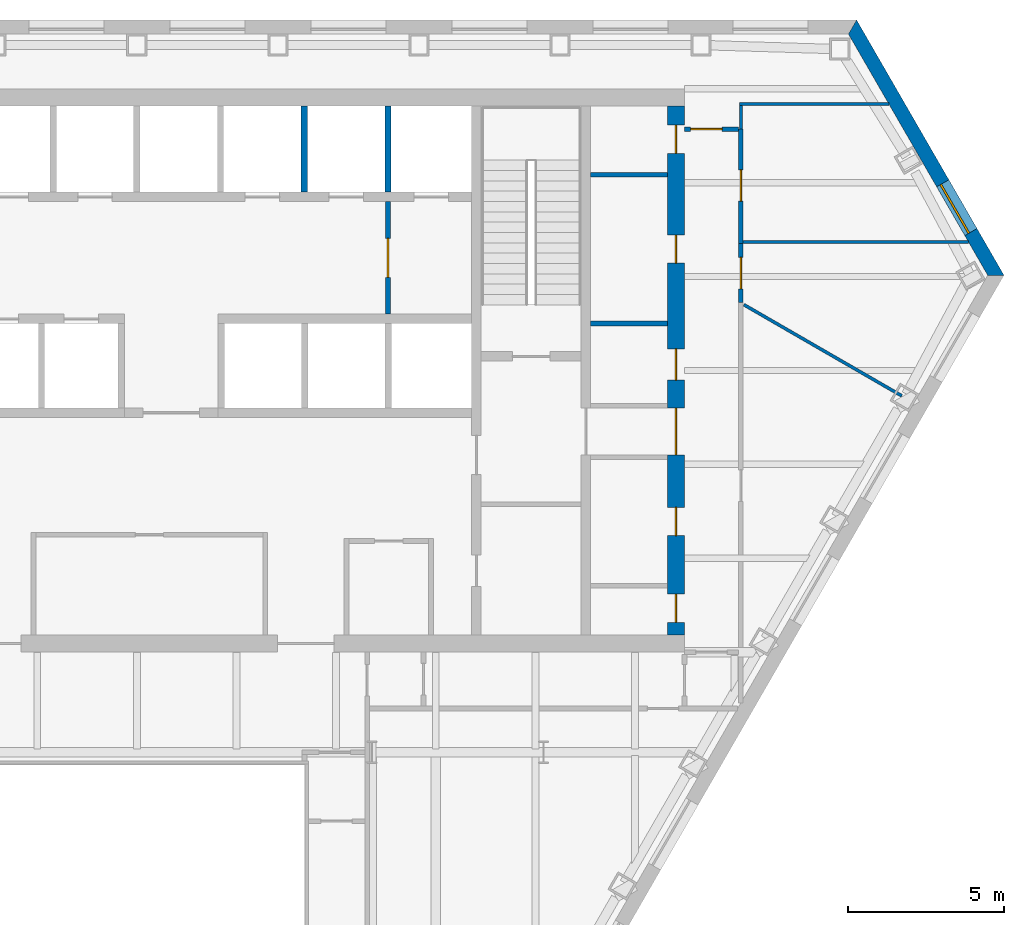
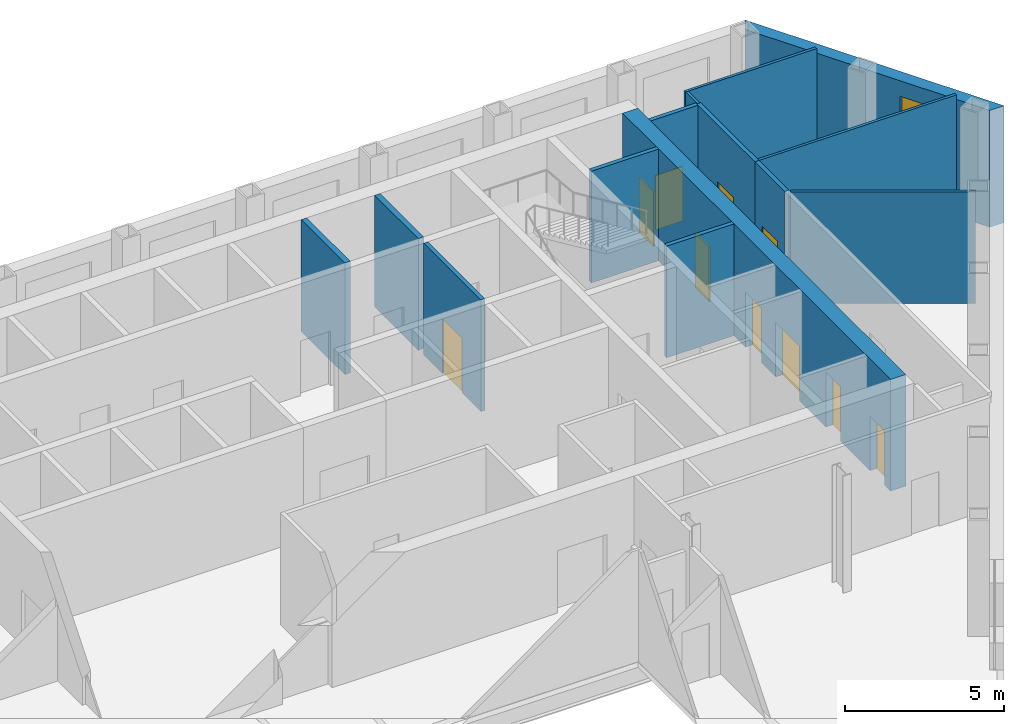
# One storey, part 8 of 11: 14 walls, 10 doors, 1 window, 11 openings.
"""IFC4 building model written with IfcOpenShell, lengths in metres."""

import ifcopenshell
import ifcopenshell.guid

model = None  # the IFC model being written
_history = None  # IfcOwnerHistory: only IFC2X3 demands one
_inside = {}  # id of a spatial element -> (the spatial element, [elements in it])
_under = {}  # id of a project, library or spatial element -> (it, [spatial elements below it])
_declared = {}  # id of a project -> (the project, [libraries it declares])
_typed = {}  # id of a type object -> (the type object, [elements of that type])
_made_of = {}  # id of a material, layer set ... -> (it, [elements and type objects made of it])


def new_model(schema):
    """Start an empty IFC model of exactly this schema.

    Asked for "IFC4X3", IfcOpenShell would pick the latest addendum, in which some entities
    have other attributes; the version numbers below select the first issue.
    IFC2X3 requires an IfcOwnerHistory on every rooted entity: one is made here for all.
    """
    global model, _history
    if schema == "IFC4X3":
        model = ifcopenshell.file(schema_version=(4, 3, 0, 0))
    else:
        model = ifcopenshell.file(schema=schema)
    _inside.clear()
    _under.clear()
    _declared.clear()
    _typed.clear()
    _made_of.clear()
    _history = None
    if model.schema == "IFC2X3":
        org = make("IfcOrganization", Name="unknown")
        user = make(
            "IfcPersonAndOrganization",
            ThePerson=make("IfcPerson", FamilyName="unknown"),
            TheOrganization=org,
        )
        app = make(
            "IfcApplication",
            ApplicationDeveloper=org,
            Version="unknown",
            ApplicationFullName="unknown",
            ApplicationIdentifier="unknown",
        )
        _history = make(
            "IfcOwnerHistory",
            OwningUser=user,
            OwningApplication=app,
            ChangeAction="ADDED",
            CreationDate=0,
        )
    return model


def make(cls, **values):
    """One entity of the class cls with the attributes given. An attribute that is None is left unset."""
    return model.create_entity(
        cls, **{name: value for name, value in values.items() if value is not None}
    )


def rooted(cls, **values):
    """An entity with a GlobalId (a new one), such as an element, a storey or a relation."""
    return make(cls, GlobalId=ifcopenshell.guid.new(), OwnerHistory=_history, **values)


def si_unit(unit_type, name, prefix=None):
    """IfcSIUnit, for example si_unit("LENGTHUNIT", "METRE", prefix="MILLI")."""
    return make("IfcSIUnit", UnitType=unit_type, Prefix=prefix, Name=name)


def assignment(units):
    """IfcUnitAssignment: the units of a project."""
    return None if units is None else make("IfcUnitAssignment", Units=units)


def point(xyz):
    """IfcCartesianPoint."""
    return None if xyz is None else make("IfcCartesianPoint", Coordinates=xyz)


def direction(xyz):
    """IfcDirection."""
    return None if xyz is None else make("IfcDirection", DirectionRatios=xyz)


def frame(location, z_axis=None, x_axis=None):
    """IfcAxis2Placement3D, a coordinate frame: its origin and axes. An axis left out is left unset."""
    return make(
        "IfcAxis2Placement3D",
        Location=point(location),
        Axis=direction(z_axis),
        RefDirection=direction(x_axis),
    )


def frame_2d(location, x_axis=None):
    """IfcAxis2Placement2D, a coordinate frame in the plane: its origin and x axis."""
    return make(
        "IfcAxis2Placement2D", Location=point(location), RefDirection=direction(x_axis)
    )


def origin():
    """The frame at (0, 0, 0) with its axes left unset."""
    return frame((0.0, 0.0, 0.0))


def place(relative_to, where):
    """IfcLocalPlacement: puts the frame where relative to a parent placement (None: the world)."""
    return make(
        "IfcLocalPlacement", PlacementRelTo=relative_to, RelativePlacement=where
    )


def context(
    kind, dimensions, precision=None, world=None, true_north=None, identifier=None
):
    """IfcGeometricRepresentationContext, for example the 3D "Model" context."""
    return make(
        "IfcGeometricRepresentationContext",
        ContextIdentifier=identifier,
        ContextType=kind,
        CoordinateSpaceDimension=dimensions,
        Precision=precision,
        WorldCoordinateSystem=world,
        TrueNorth=true_north,
    )


def subcontext(parent, identifier, kind, view, scale=None):
    """IfcGeometricRepresentationSubContext, for example "Body" below "Model"."""
    return make(
        "IfcGeometricRepresentationSubContext",
        ContextIdentifier=identifier,
        ContextType=kind,
        ParentContext=parent,
        TargetScale=scale,
        TargetView=view,
    )


def project(units=None, contexts=None):
    """IfcProject with its units and contexts."""
    return rooted(
        "IfcProject",
        Name="project",
        RepresentationContexts=contexts,
        UnitsInContext=assignment(units),
    )


def spatial(cls, under=None, at=None, **own):
    """A site, building, storey or space (cls), placed at a placement, below another one or the project."""
    s = rooted(cls, ObjectPlacement=at, **own)
    if under is not None:
        _under.setdefault(under.id(), (under, []))[1].append(s)
    return s


def polyline(points):
    """IfcPolyline through the points."""
    return make("IfcPolyline", Points=[point(p) for p in points])


def profile(cls, at=None, kind="AREA", **sizes):
    """A parametric profile (cls). Its sizes go by their IFC names, for example OverallWidth=200.0."""
    return make(cls, ProfileType=kind, Position=at, **sizes)


def rectangle(**sizes):
    """IfcRectangleProfileDef."""
    return profile("IfcRectangleProfileDef", **sizes)


def outline(outer, holes=None, kind="AREA"):
    """IfcArbitraryClosedProfileDef: a profile drawn as a closed curve; with holes, ...WithVoids."""
    if holes is None:
        return make("IfcArbitraryClosedProfileDef", ProfileType=kind, OuterCurve=outer)
    return make(
        "IfcArbitraryProfileDefWithVoids",
        ProfileType=kind,
        OuterCurve=outer,
        InnerCurves=holes,
    )


def extrude(swept, where, along, depth):
    """IfcExtrudedAreaSolid: the profile swept, set in the frame where, extruded along a direction by depth."""
    return make(
        "IfcExtrudedAreaSolid",
        SweptArea=swept,
        Position=where,
        ExtrudedDirection=direction(along),
        Depth=depth,
    )


def shape(context_of_items, identifier, shape_type, items):
    """IfcShapeRepresentation: the items that make up one representation, for example the "Body"."""
    return make(
        "IfcShapeRepresentation",
        ContextOfItems=context_of_items,
        RepresentationIdentifier=identifier,
        RepresentationType=shape_type,
        Items=items,
    )


def material(Name=None, Category=None):
    """IfcMaterial."""
    return make("IfcMaterial", Name=Name, Category=Category)


def layer(
    of_material, thickness, ventilated=None, Name=None, Category=None, Priority=None
):
    """IfcMaterialLayer: one layer of a wall or slab, of a material (None: an air gap)."""
    return make(
        "IfcMaterialLayer",
        Material=of_material,
        LayerThickness=thickness,
        IsVentilated=ventilated,
        Name=Name,
        Category=Category,
        Priority=Priority,
    )


def layer_set(layers, Name=None):
    """IfcMaterialLayerSet."""
    return make("IfcMaterialLayerSet", MaterialLayers=layers, LayerSetName=Name)


def made_of(thing, what):
    """Note that an element or type object is made of a material, layer set ...; save() writes the relation."""
    if what is not None:
        _made_of.setdefault(what.id(), (what, []))[1].append(thing)
    return thing


def type_object(cls, material=None, **own):
    """A type object (cls), such as IfcWallType, which elements share."""
    return made_of(rooted(cls, **own), material)


def element(
    cls,
    number,
    at=None,
    inside=None,
    cuts=None,
    type_object=None,
    material=None,
    context=None,
    identifier="Body",
    shape_type=None,
    held_by="IfcProductDefinitionShape",
    body=None,
    shapes=None,
    **own,
):
    """One element of the class cls, such as IfcWall. Its Tag is "e" and its number.

    at: its placement. inside: the storey or other place that contains it. cuts: it is an
    opening in that element (IfcRelVoidsElement). A single representation is given by context,
    identifier, shape_type and body (its items); several are given by shapes. held_by: the class
    of the entity that holds the representations. save() writes the other relations.
    """
    e = rooted(cls, Tag="e%d" % number, ObjectPlacement=at, **own)
    if body is not None:
        shapes = [shape(context, identifier, shape_type, body)]
    if shapes is not None:
        e.Representation = make(held_by, Representations=shapes)
    if inside is not None:
        _inside.setdefault(inside.id(), (inside, []))[1].append(e)
    if cuts is not None:
        rooted(
            "IfcRelVoidsElement", RelatingBuildingElement=cuts, RelatedOpeningElement=e
        )
    if type_object is not None:
        _typed.setdefault(type_object.id(), (type_object, []))[1].append(e)
    return made_of(e, material)


def fill(opening, filler):
    """IfcRelFillsElement: the door or window that sits in an opening."""
    return rooted(
        "IfcRelFillsElement",
        RelatingOpeningElement=opening,
        RelatedBuildingElement=filler,
    )


def aggregate(whole, parts):
    """IfcRelAggregates: a whole, such as a stair, and the parts it consists of."""
    return rooted("IfcRelAggregates", RelatingObject=whole, RelatedObjects=parts)


def save(model, path):
    """Write the relations noted so far, then the file.

    IfcRelAggregates (storeys below a building ...), IfcRelContainedInSpatialStructure (elements
    in a storey), IfcRelDefinesByType, IfcRelAssociatesMaterial and IfcRelDeclares: one each for
    every whole, place, type object, material and project.
    """
    for whole, parts in _under.values():
        aggregate(whole, parts)
    for where, things in _inside.values():
        rooted(
            "IfcRelContainedInSpatialStructure",
            RelatedElements=things,
            RelatingStructure=where,
        )
    for kind, things in _typed.values():
        rooted("IfcRelDefinesByType", RelatedObjects=things, RelatingType=kind)
    for what, things in _made_of.values():
        rooted("IfcRelAssociatesMaterial", RelatedObjects=things, RelatingMaterial=what)
    for by, libraries in _declared.values():
        rooted("IfcRelDeclares", RelatingContext=by, RelatedDefinitions=libraries)
    model.write(path)


model = new_model("IFC4")

# Units and contexts
model_context = context("Model", 3, precision=1e-05, world=origin(), true_north=direction((0.0, 1.0)))
body_context = subcontext(model_context, "Body", "Model", "MODEL_VIEW")
ifc_project = project(units=[si_unit("LENGTHUNIT", "METRE"), si_unit("AREAUNIT", "SQUARE_METRE"), si_unit("VOLUMEUNIT", "CUBIC_METRE"), si_unit("PLANEANGLEUNIT", "RADIAN"), si_unit("MASSUNIT", "GRAM", prefix="KILO")], contexts=[model_context])

# Site, building, storey
site_placement = place(None, origin())
site = spatial("IfcSite", under=ifc_project, at=site_placement, CompositionType="ELEMENT")
building_placement = place(site_placement, origin())
building = spatial("IfcBuilding", under=site, at=building_placement, Name="Njiva Tower", CompositionType="ELEMENT")
storey_placement = place(building_placement, frame((0.0, 0.0, 124.8)))
storey = spatial("IfcBuildingStorey", under=building, at=storey_placement, Name="L26", CompositionType="ELEMENT", Elevation=124.8)

# Wall
ifc_material_1 = material(Name="Blockwork", Category="masonry")
ifc_layer_1 = layer(ifc_material_1, 0.15)
ifc_layer_set_1 = layer_set([ifc_layer_1], Name="Blockwork")
wall_type_1 = type_object("IfcWallType", Name="WT1 Compartment partition 150", PredefinedType="PARTITIONING", material=ifc_layer_set_1)
wall_1_placement = place(storey_placement, frame((14.5, 10.5019, 0.0), z_axis=(0.0, 0.0, 1.0), x_axis=(1.0, 0.0, 0.0)))
element("IfcWall", 1, at=wall_1_placement, inside=storey, type_object=wall_type_1, Name="Partition strip E10", PredefinedType="PARTITIONING", context=body_context, shape_type="SweptSolid", body=[
    extrude(rectangle(XDim=2.45, YDim=0.15, at=frame_2d((1.225, 0.0))), origin(), (0.0, 0.0, 1.0), 4.3),
])

# Wall, openings, doors
ifc_material_2 = material(Name="Concrete C60/75", Category="concrete")
ifc_layer_2 = layer(ifc_material_2, 0.55)
ifc_layer_set_2 = layer_set([ifc_layer_2], Name="Concrete C60/75")
wall_type_2 = type_object("IfcWallType", Name="WT14 Core wall 550", PredefinedType="SHEAR", material=ifc_layer_set_2)
wall_2_placement = place(storey_placement, frame((17.225, 0.55, 0.0), z_axis=(0.0, 0.0, 1.0), x_axis=(0.0, 1.0, 0.0)))
wall_2 = element("IfcWall", 2, at=wall_2_placement, inside=storey, type_object=wall_type_2, Name="Core wall east", PredefinedType="SHEAR", context=body_context, shape_type="SweptSolid", body=[
    extrude(rectangle(XDim=16.9, YDim=0.55, at=frame_2d((8.45, 0.0))), origin(), (0.0, 0.0, 1.0), 4.3),
])
opening_1_placement = place(wall_2_placement, frame((5.75, 0.0, 0.0)))
opening_1 = element("IfcOpeningElement", 3, at=opening_1_placement, cuts=wall_2, Name="Opening S09-D928", PredefinedType="OPENING", context=body_context, shape_type="SweptSolid", body=[
    extrude(rectangle(XDim=1.5, YDim=2.1, at=frame_2d((0.75, 1.05))), frame((0.0, 0.285, 0.0), z_axis=(0.0, -1.0, 0.0), x_axis=(1.0, 0.0, 0.0)), (0.0, 0.0, 1.0), 0.57),
])
opening_2_placement = place(wall_2_placement, frame((0.4, 0.0, 0.0)))
opening_2 = element("IfcOpeningElement", 4, at=opening_2_placement, cuts=wall_2, Name="Opening S09-D929", PredefinedType="OPENING", context=body_context, shape_type="SweptSolid", body=[
    extrude(rectangle(XDim=0.9, YDim=2.1, at=frame_2d((0.45, 1.05))), frame((0.0, 0.285, 0.0), z_axis=(0.0, -1.0, 0.0), x_axis=(1.0, 0.0, 0.0)), (0.0, 0.0, 1.0), 0.57),
])
opening_3_placement = place(wall_2_placement, frame((3.175, 0.0, 0.0)))
opening_3 = element("IfcOpeningElement", 5, at=opening_3_placement, cuts=wall_2, Name="Opening S09-D930", PredefinedType="OPENING", context=body_context, shape_type="SweptSolid", body=[
    extrude(rectangle(XDim=0.9, YDim=2.1, at=frame_2d((0.45, 1.05))), frame((0.0, 0.285, 0.0), z_axis=(0.0, -1.0, 0.0), x_axis=(1.0, 0.0, 0.0)), (0.0, 0.0, 1.0), 0.57),
])
opening_4_placement = place(wall_2_placement, frame((8.1385, 0.0, 0.0)))
opening_4 = element("IfcOpeningElement", 6, at=opening_4_placement, cuts=wall_2, Name="Opening S09-D931", PredefinedType="OPENING", context=body_context, shape_type="SweptSolid", body=[
    extrude(rectangle(XDim=1.0, YDim=2.1, at=frame_2d((0.5, 1.05))), frame((0.0, 0.285, 0.0), z_axis=(0.0, -1.0, 0.0), x_axis=(1.0, 0.0, 0.0)), (0.0, 0.0, 1.0), 0.57),
])
opening_5_placement = place(wall_2_placement, frame((11.8769, 0.0, 0.0)))
opening_5 = element("IfcOpeningElement", 7, at=opening_5_placement, cuts=wall_2, Name="Opening S09-D932", PredefinedType="OPENING", context=body_context, shape_type="SweptSolid", body=[
    extrude(rectangle(XDim=0.9, YDim=2.1, at=frame_2d((0.45, 1.05))), frame((0.0, 0.285, 0.0), z_axis=(0.0, -1.0, 0.0), x_axis=(1.0, 0.0, 0.0)), (0.0, 0.0, 1.0), 0.57),
])
opening_6_placement = place(wall_2_placement, frame((15.3885, 0.0, 0.0)))
opening_6 = element("IfcOpeningElement", 8, at=opening_6_placement, cuts=wall_2, Name="Opening S09-D933", PredefinedType="OPENING", context=body_context, shape_type="SweptSolid", body=[
    extrude(rectangle(XDim=0.9, YDim=2.1, at=frame_2d((0.45, 1.05))), frame((0.0, 0.285, 0.0), z_axis=(0.0, -1.0, 0.0), x_axis=(1.0, 0.0, 0.0)), (0.0, 0.0, 1.0), 0.57),
])
ifc_material_3 = material(Name="Glazed steel fire door", Category="steel")
door_type_1 = type_object("IfcDoorType", Name="D10 Exit door double 1500x2100 glazed", OperationType="DOUBLE_DOOR_SINGLE_SWING", PredefinedType="DOOR", material=ifc_material_3)
door_1_placement = place(opening_1_placement, origin())
door_1 = element("IfcDoor", 9, at=door_1_placement, inside=storey, type_object=door_type_1, Name="Stair B corridor door", OperationType="DOUBLE_DOOR_SINGLE_SWING", OverallHeight=2.1, OverallWidth=1.5, PredefinedType="DOOR", context=body_context, shape_type="SweptSolid", body=[
    extrude(rectangle(XDim=1.5, YDim=2.1, at=frame_2d((0.75, 1.05))), frame((0.0, 0.025, 0.0), z_axis=(0.0, -1.0, 0.0), x_axis=(1.0, 0.0, 0.0)), (0.0, 0.0, 1.0), 0.05),
])
fill(opening_1, door_1)
ifc_material_4 = material(Name="Steel door, painted", Category="steel")
door_type_2 = type_object("IfcDoorType", Name="D4 Riser door 900x2100", OperationType="SINGLE_SWING_LEFT", PredefinedType="DOOR", material=ifc_material_4)
door_2_placement = place(opening_6_placement, origin())
door_2 = element("IfcDoor", 10, at=door_2_placement, inside=storey, type_object=door_type_2, Name="Riser door", OperationType="SINGLE_SWING_RIGHT", OverallHeight=2.1, OverallWidth=0.9, PredefinedType="DOOR", context=body_context, shape_type="SweptSolid", body=[
    extrude(rectangle(XDim=0.9, YDim=2.1, at=frame_2d((0.45, 1.05))), frame((0.0, 0.025, 0.0), z_axis=(0.0, -1.0, 0.0), x_axis=(1.0, 0.0, 0.0)), (0.0, 0.0, 1.0), 0.05),
])
fill(opening_6, door_2)
door_type_3 = type_object("IfcDoorType", Name="D5 Steel door 1000x2100", OperationType="SINGLE_SWING_LEFT", PredefinedType="DOOR", material=ifc_material_4)
door_3_placement = place(opening_4_placement, origin())
door_3 = element("IfcDoor", 11, at=door_3_placement, inside=storey, type_object=door_type_3, Name="Electrical room door", OperationType="SINGLE_SWING_LEFT", OverallHeight=2.1, OverallWidth=1.0, PredefinedType="DOOR", context=body_context, shape_type="SweptSolid", body=[
    extrude(rectangle(XDim=1.0, YDim=2.1, at=frame_2d((0.5, 1.05))), frame((0.0, 0.025, 0.0), z_axis=(0.0, -1.0, 0.0), x_axis=(1.0, 0.0, 0.0)), (0.0, 0.0, 1.0), 0.05),
])
fill(opening_4, door_3)
ifc_material_5 = material(Name="Steel fire door, painted", Category="steel")
door_type_4 = type_object("IfcDoorType", Name="D6 Fire-rated door 900x2100", OperationType="SINGLE_SWING_LEFT", PredefinedType="DOOR", material=ifc_material_5)
door_4_placement = place(opening_2_placement, origin())
door_4 = element("IfcDoor", 12, at=door_4_placement, inside=storey, type_object=door_type_4, Name="Cleaner's store door", OperationType="SINGLE_SWING_RIGHT", OverallHeight=2.1, OverallWidth=0.9, PredefinedType="DOOR", context=body_context, shape_type="SweptSolid", body=[
    extrude(rectangle(XDim=0.9, YDim=2.1, at=frame_2d((0.45, 1.05))), frame((0.0, 0.025, 0.0), z_axis=(0.0, -1.0, 0.0), x_axis=(1.0, 0.0, 0.0)), (0.0, 0.0, 1.0), 0.05),
])
fill(opening_2, door_4)
door_5_placement = place(opening_3_placement, origin())
door_5 = element("IfcDoor", 13, at=door_5_placement, inside=storey, type_object=door_type_4, Name="Reading room door", OperationType="SINGLE_SWING_RIGHT", OverallHeight=2.1, OverallWidth=0.9, PredefinedType="DOOR", context=body_context, shape_type="SweptSolid", body=[
    extrude(rectangle(XDim=0.9, YDim=2.1, at=frame_2d((0.45, 1.05))), frame((0.0, 0.025, 0.0), z_axis=(0.0, -1.0, 0.0), x_axis=(1.0, 0.0, 0.0)), (0.0, 0.0, 1.0), 0.05),
])
fill(opening_3, door_5)
door_6_placement = place(opening_5_placement, origin())
door_6 = element("IfcDoor", 14, at=door_6_placement, inside=storey, type_object=door_type_4, Name="Prayer room door", OperationType="SINGLE_SWING_LEFT", OverallHeight=2.1, OverallWidth=0.9, PredefinedType="DOOR", context=body_context, shape_type="SweptSolid", body=[
    extrude(rectangle(XDim=0.9, YDim=2.1, at=frame_2d((0.45, 1.05))), frame((0.0, 0.025, 0.0), z_axis=(0.0, -1.0, 0.0), x_axis=(1.0, 0.0, 0.0)), (0.0, 0.0, 1.0), 0.05),
])
fill(opening_5, door_6)

# Wall, opening, door
ifc_layer_3 = layer(ifc_material_1, 0.15)
ifc_layer_set_3 = layer_set([ifc_layer_3], Name="Blockwork")
wall_type_3 = type_object("IfcWallType", Name="WT2 Lobby partition 150", PredefinedType="PARTITIONING", material=ifc_layer_set_3)
wall_3_placement = place(storey_placement, frame((8.025, 10.8, 0.0), z_axis=(0.0, 0.0, 1.0), x_axis=(0.0, 1.0, 0.0)))
wall_3 = element("IfcWall", 15, at=wall_3_placement, inside=storey, type_object=wall_type_3, Name="Firefighting lobby wall B", PredefinedType="PARTITIONING", context=body_context, shape_type="SweptSolid", body=[
    extrude(rectangle(XDim=3.6, YDim=0.15, at=frame_2d((1.8, 0.0))), origin(), (0.0, 0.0, 1.0), 4.3),
])
opening_7_placement = place(wall_3_placement, frame((1.175, 0.0, 0.0)))
opening_7 = element("IfcOpeningElement", 16, at=opening_7_placement, cuts=wall_3, Name="Opening S09-D916", PredefinedType="OPENING", context=body_context, shape_type="SweptSolid", body=[
    extrude(rectangle(XDim=1.25, YDim=2.1, at=frame_2d((0.625, 1.05))), frame((0.0, 0.085, 0.0), z_axis=(0.0, -1.0, 0.0), x_axis=(1.0, 0.0, 0.0)), (0.0, 0.0, 1.0), 0.17),
])
door_type_5 = type_object("IfcDoorType", Name="D8 Vestibule corridor door 1250x2100 glazed", OperationType="SINGLE_SWING_LEFT", PredefinedType="DOOR", material=ifc_material_3)
door_7_placement = place(opening_7_placement, origin())
door_7 = element("IfcDoor", 17, at=door_7_placement, inside=storey, type_object=door_type_5, Name="Stair vestibule corridor door", OperationType="SINGLE_SWING_LEFT", OverallHeight=2.1, OverallWidth=1.25, PredefinedType="DOOR", context=body_context, shape_type="SweptSolid", body=[
    extrude(rectangle(XDim=1.25, YDim=2.1, at=frame_2d((0.625, 1.05))), frame((0.0, 0.025, 0.0), z_axis=(0.0, -1.0, 0.0), x_axis=(1.0, 0.0, 0.0)), (0.0, 0.0, 1.0), 0.05),
])
fill(opening_7, door_7)

# Walls
ifc_material_6 = material(Name="Gypsum board on steel studs", Category="gypsum")
ifc_layer_4 = layer(ifc_material_6, 0.1)
ifc_layer_set_4 = layer_set([ifc_layer_4], Name="Gypsum board on steel studs")
wall_type_4 = type_object("IfcWallType", Name="WT20 Gypsum partition 100", PredefinedType="PARTITIONING", material=ifc_layer_set_4)
wall_4_placement = place(storey_placement, frame((19.25, 17.511, 0.0), z_axis=(0.0, 0.0, 1.0), x_axis=(0.999998926819, 0.001465046565, 0.0)))
element("IfcWall", 18, at=wall_4_placement, inside=storey, type_object=wall_type_4, Name="Partition S09-P020", PredefinedType="PARTITIONING", context=body_context, shape_type="SweptSolid", body=[
    extrude(rectangle(XDim=4.778, YDim=0.1, at=frame_2d((2.389, 0.0))), origin(), (0.0, 0.0, 1.0), 4.3),
])
wall_5_placement = place(storey_placement, frame((19.3, 16.723, 0.0), z_axis=(0.0, 0.0, 1.0), x_axis=(0.0, 1.0, 0.0)))
element("IfcWall", 19, at=wall_5_placement, inside=storey, type_object=wall_type_4, Name="Partition S09-P023", PredefinedType="PARTITIONING", context=body_context, shape_type="SweptSolid", body=[
    extrude(rectangle(XDim=0.738, YDim=0.1, at=frame_2d((0.369, 0.0))), origin(), (0.0, 0.0, 1.0), 4.3),
])
wall_6_placement = place(storey_placement, frame((19.375, 13.102, 0.0), z_axis=(0.0, 0.0, 1.0), x_axis=(0.999999382374, 0.001111419152, 0.0)))
element("IfcWall", 20, at=wall_6_placement, inside=storey, type_object=wall_type_4, Name="Partition S09-P025", PredefinedType="PARTITIONING", context=body_context, shape_type="SweptSolid", body=[
    extrude(rectangle(XDim=7.198, YDim=0.1, at=frame_2d((3.599, 0.0))), origin(), (0.0, 0.0, 1.0), 4.3),
])
wall_7_placement = place(storey_placement, frame((19.4, 11.101, 0.0), z_axis=(0.0, 0.0, 1.0), x_axis=(0.866048401274, -0.499960165064, 0.0)))
element("IfcWall", 21, at=wall_7_placement, inside=storey, type_object=wall_type_4, Name="Partition S09-P026", PredefinedType="PARTITIONING", context=body_context, shape_type="SweptSolid", body=[
    extrude(rectangle(XDim=5.8265, YDim=0.1, at=frame_2d((2.9132, 0.0))), origin(), (0.0, 0.0, 1.0), 4.3),
])

# Wall, opening, door
ifc_layer_5 = layer(ifc_material_6, 0.15)
ifc_layer_set_5 = layer_set([ifc_layer_5], Name="Gypsum board on steel studs")
wall_type_5 = type_object("IfcWallType", Name="WT21 Compartment wall 150", PredefinedType="PARTITIONING", material=ifc_layer_set_5)
wall_8_placement = place(storey_placement, frame((17.5, 16.711, 0.0), z_axis=(0.0, 0.0, 1.0), x_axis=(1.0, 0.0, 0.0)))
wall_8 = element("IfcWall", 22, at=wall_8_placement, inside=storey, type_object=wall_type_5, Name="Partition S09-P019", PredefinedType="PARTITIONING", context=body_context, shape_type="SweptSolid", body=[
    extrude(rectangle(XDim=1.725, YDim=0.15, at=frame_2d((0.8625, 0.0))), origin(), (0.0, 0.0, 1.0), 4.3),
])
opening_8_placement = place(wall_8_placement, frame((0.2, 0.0, 0.0)))
opening_8 = element("IfcOpeningElement", 23, at=opening_8_placement, cuts=wall_8, Name="Opening S09-D014", PredefinedType="OPENING", context=body_context, shape_type="SweptSolid", body=[
    extrude(rectangle(XDim=1.0, YDim=2.1, at=frame_2d((0.5, 1.05))), frame((0.0, 0.085, 0.0), z_axis=(0.0, -1.0, 0.0), x_axis=(1.0, 0.0, 0.0)), (0.0, 0.0, 1.0), 0.17),
])
ifc_material_7 = material(Name="Steel fire door set", Category="steel")
door_type_6 = type_object("IfcDoorType", Name="D37 Fire door 1000x2100", OperationType="SINGLE_SWING_LEFT", PredefinedType="DOOR", material=ifc_material_7)
door_8_placement = place(opening_8_placement, origin())
door_8 = element("IfcDoor", 24, at=door_8_placement, inside=storey, type_object=door_type_6, Name="Door S09-D014", OperationType="SINGLE_SWING_RIGHT", OverallHeight=2.1, OverallWidth=1.0, PredefinedType="DOOR", context=body_context, shape_type="SweptSolid", body=[
    extrude(rectangle(XDim=1.0, YDim=2.1, at=frame_2d((0.5, 1.05))), frame((0.0, 0.025, 0.0), z_axis=(0.0, -1.0, 0.0), x_axis=(1.0, 0.0, 0.0)), (0.0, 0.0, 1.0), 0.05),
])
fill(opening_8, door_8)

wall_9_placement = place(storey_placement, frame((19.3, 13.052, 0.0), z_axis=(0.0, 0.0, 1.0), x_axis=(0.0, 1.0, 0.0)))
wall_9 = element("IfcWall", 25, at=wall_9_placement, inside=storey, type_object=wall_type_5, Name="Partition S09-P022", PredefinedType="PARTITIONING", context=body_context, shape_type="SweptSolid", body=[
    extrude(rectangle(XDim=3.671, YDim=0.15, at=frame_2d((1.8355, 0.0))), origin(), (0.0, 0.0, 1.0), 4.3),
])
opening_9_placement = place(wall_9_placement, frame((1.36, 0.0, 0.0)))
opening_9 = element("IfcOpeningElement", 26, at=opening_9_placement, cuts=wall_9, Name="Opening S09-D016", PredefinedType="OPENING", context=body_context, shape_type="SweptSolid", body=[
    extrude(rectangle(XDim=1.0, YDim=2.1, at=frame_2d((0.5, 1.05))), frame((0.0, 0.085, 0.0), z_axis=(0.0, -1.0, 0.0), x_axis=(1.0, 0.0, 0.0)), (0.0, 0.0, 1.0), 0.17),
])
door_9_placement = place(opening_9_placement, origin())
door_9 = element("IfcDoor", 27, at=door_9_placement, inside=storey, type_object=door_type_6, Name="Door S09-D016", OperationType="SINGLE_SWING_RIGHT", OverallHeight=2.1, OverallWidth=1.0, PredefinedType="DOOR", context=body_context, shape_type="SweptSolid", body=[
    extrude(rectangle(XDim=1.0, YDim=2.1, at=frame_2d((0.5, 1.05))), frame((0.0, 0.025, 0.0), z_axis=(0.0, -1.0, 0.0), x_axis=(1.0, 0.0, 0.0)), (0.0, 0.0, 1.0), 0.05),
])
fill(opening_9, door_9)

wall_10_placement = place(storey_placement, frame((19.3, 13.052, 0.0), z_axis=(0.0, 0.0, 1.0), x_axis=(0.000531349553, -0.999999858834, 0.0)))
wall_10 = element("IfcWall", 28, at=wall_10_placement, inside=storey, type_object=wall_type_5, Name="Partition S09-P024", PredefinedType="PARTITIONING", context=body_context, shape_type="SweptSolid", body=[
    extrude(rectangle(XDim=1.882, YDim=0.15, at=frame_2d((0.941, 0.0))), origin(), (0.0, 0.0, 1.0), 4.3),
])
opening_10_placement = place(wall_10_placement, frame((0.441, 0.0, 0.0)))
opening_10 = element("IfcOpeningElement", 29, at=opening_10_placement, cuts=wall_10, Name="Opening S09-D017", PredefinedType="OPENING", context=body_context, shape_type="SweptSolid", body=[
    extrude(rectangle(XDim=1.0, YDim=2.1, at=frame_2d((0.5, 1.05))), frame((0.0, 0.085, 0.0), z_axis=(0.0, -1.0, 0.0), x_axis=(1.0, 0.0, 0.0)), (0.0, 0.0, 1.0), 0.17),
])
door_10_placement = place(opening_10_placement, origin())
door_10 = element("IfcDoor", 30, at=door_10_placement, inside=storey, type_object=door_type_6, Name="Door S09-D017", OperationType="SINGLE_SWING_RIGHT", OverallHeight=2.1, OverallWidth=1.0, PredefinedType="DOOR", context=body_context, shape_type="SweptSolid", body=[
    extrude(rectangle(XDim=1.0, YDim=2.1, at=frame_2d((0.5, 1.05))), frame((0.0, 0.025, 0.0), z_axis=(0.0, -1.0, 0.0), x_axis=(1.0, 0.0, 0.0)), (0.0, 0.0, 1.0), 0.05),
])
fill(opening_10, door_10)

# Walls
ifc_layer_6 = layer(ifc_material_1, 0.15)
ifc_layer_set_6 = layer_set([ifc_layer_6], Name="Blockwork")
wall_type_6 = type_object("IfcWallType", Name="WT3 Riser partition 150", PredefinedType="PARTITIONING", material=ifc_layer_set_6)
wall_11_placement = place(storey_placement, frame((14.5, 15.2519, 0.0), z_axis=(0.0, 0.0, 1.0), x_axis=(1.0, 0.0, 0.0)))
element("IfcWall", 31, at=wall_11_placement, inside=storey, type_object=wall_type_6, Name="Partition strip E11", PredefinedType="PARTITIONING", context=body_context, shape_type="SweptSolid", body=[
    extrude(rectangle(XDim=2.45, YDim=0.15, at=frame_2d((1.225, 0.0))), origin(), (0.0, 0.0, 1.0), 4.3),
])
ifc_material_8 = material(Name="Concrete C40/50", Category="concrete")
ifc_layer_7 = layer(ifc_material_8, 0.2)
ifc_layer_set_7 = layer_set([ifc_layer_7], Name="Concrete C40/50")
wall_type_7 = type_object("IfcWallType", Name="WT6 Lift shaft wall 200", PredefinedType="SHEAR", material=ifc_layer_set_7)
for number, where, z_axis, x_axis, name in (
    (32, (5.35, 14.7, 0.0), (0.0, 0.0, 1.0), (0.0, 1.0, 0.0), "Shaft wall CN6"),
    (33, (8.025, 14.7, 0.0), (0.0, 0.0, 1.0), (0.0, 1.0, 0.0), "Shaft wall CN7"),
):
    element("IfcWall", number, at=place(storey_placement, frame(where, z_axis=z_axis, x_axis=x_axis)), inside=storey, type_object=wall_type_7, Name=name, PredefinedType="SHEAR", context=body_context, shape_type="SweptSolid", body=[
        extrude(rectangle(XDim=2.75, YDim=0.2, at=frame_2d((1.375, 0.0))), origin(), (0.0, 0.0, 1.0), 4.3),
    ])

# Wall, opening, window
ifc_material_9 = material(Name="Brick masonry, buff", Category="masonry")
ifc_layer_8 = layer(ifc_material_9, 0.45)
ifc_layer_set_8 = layer_set([ifc_layer_8], Name="Brick masonry, buff")
wall_type_8 = type_object("IfcWallType", Name="WT94 Brick pier and spandrel wall 450, buff", PredefinedType="SOLIDWALL", material=ifc_layer_set_8)
wall_12_placement = place(storey_placement, frame((27.4502, 12.042, -0.4), z_axis=(0.0, 0.0, 1.0), x_axis=(-0.499998388237, 0.866026334334, 0.0)))
wall_12 = element("IfcWall", 34, at=wall_12_placement, inside=storey, type_object=wall_type_8, Name="Facade wall NE", PredefinedType="SOLIDWALL", context=body_context, shape_type="SweptSolid", body=[
    extrude(outline(polyline([(-0.1299, -0.225), (9.2901, -0.225), (9.0303, 0.225), (0.1299, 0.225), (-0.1299, -0.225)])), origin(), (0.0, 0.0, 1.0), 4.5),
])
opening_11_placement = place(wall_12_placement, frame((1.5944, 0.0, 1.3)))
opening_11 = element("IfcOpeningElement", 35, at=opening_11_placement, cuts=wall_12, Name="Opening S09-W32", PredefinedType="OPENING", context=body_context, shape_type="SweptSolid", body=[
    extrude(rectangle(XDim=1.8, YDim=2.6, at=frame_2d((0.9, 1.3))), frame((0.0, 0.235, 0.0), z_axis=(0.0, -1.0, 0.0), x_axis=(1.0, 0.0, 0.0)), (0.0, 0.0, 1.0), 0.47),
])
ifc_material_10 = material(Name="Clear glazing in aluminium frame", Category="aluminium")
window_type = type_object("IfcWindowType", Name="W96 Deep-set window 1800x2600", PartitioningType="SINGLE_PANEL", PredefinedType="WINDOW", material=ifc_material_10)
window_placement = place(opening_11_placement, origin())
window = element("IfcWindow", 36, at=window_placement, inside=storey, type_object=window_type, Name="Window", OverallHeight=2.6, OverallWidth=1.8, PartitioningType="SINGLE_PANEL", PredefinedType="WINDOW", context=body_context, shape_type="SweptSolid", body=[
    extrude(rectangle(XDim=1.8, YDim=2.6, at=frame_2d((0.9, 1.3))), frame((0.0, 0.105, 0.0), z_axis=(0.0, -1.0, 0.0), x_axis=(1.0, 0.0, 0.0)), (0.0, 0.0, 1.0), 0.06),
])
fill(opening_11, window)

save(model, "model.ifc")
